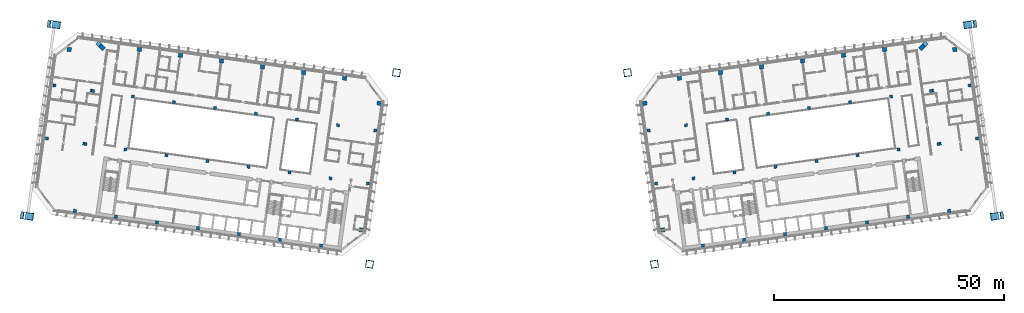
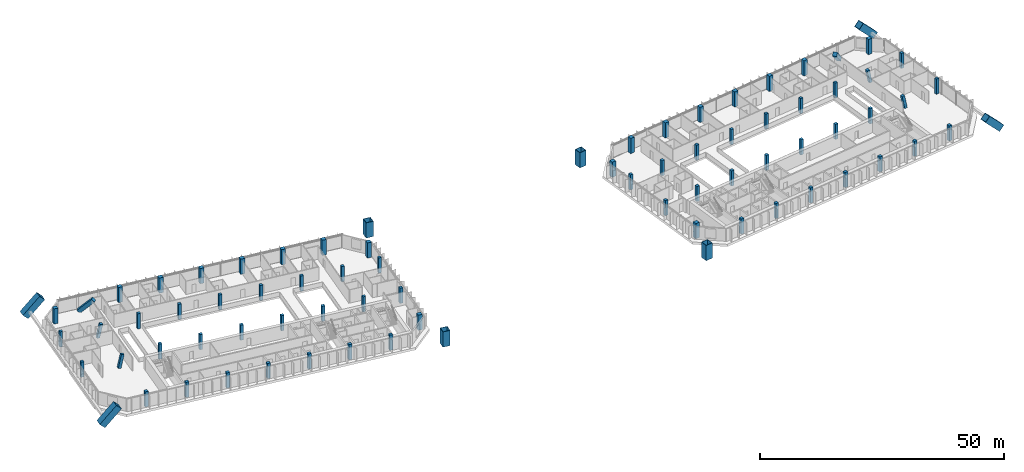
# One storey, part 1 of 34: 78 columns.
"""IFC4 building model written with IfcOpenShell, lengths in metres."""

from ifc_helpers import new_model, si_unit, direction, frame, origin, origin_2d, place, context, subcontext, project, spatial, rectangle, hollow_rectangle, extrude, material, material_profile, profile_set, type_object, element, save


model = new_model("IFC4")

# Units and contexts
model_context = context("Model", 3, precision=1e-05, world=origin(), true_north=direction((0.0, 1.0)))
body_context = subcontext(model_context, "Body", "Model", "MODEL_VIEW")
ifc_project = project(units=[si_unit("LENGTHUNIT", "METRE"), si_unit("AREAUNIT", "SQUARE_METRE"), si_unit("VOLUMEUNIT", "CUBIC_METRE"), si_unit("PLANEANGLEUNIT", "RADIAN"), si_unit("MASSUNIT", "GRAM", prefix="KILO")], contexts=[model_context])

# Site, building, storey
site_placement = place(None, origin())
site = spatial("IfcSite", under=ifc_project, at=site_placement, CompositionType="ELEMENT")
building_placement = place(site_placement, origin())
building = spatial("IfcBuilding", under=site, at=building_placement, Name="Mirante Cascada Hotel Towers", CompositionType="ELEMENT")
storey_placement = place(building_placement, frame((0.0, 0.0, 148.1)))
storey = spatial("IfcBuildingStorey", under=building, at=storey_placement, Name="L34", CompositionType="ELEMENT", Elevation=148.1)

# Columns
ifc_material_1 = material(Name="Steel ASTM A572 Gr 50", Category="steel")
ifc_material_profile_1 = material_profile(ifc_material_1, hollow_rectangle(XDim=1.6, YDim=1.6, WallThickness=0.07, at=origin_2d()), Name="Box column 1600x1600x70 ASTM A572 Gr 50")
ifc_profile_set_1 = profile_set([ifc_material_profile_1], Name="Steel ASTM A572 Gr 50")
column_type_1 = type_object("IfcColumnType", Name="Box column 1600x1600x70 ASTM A572 Gr 50", PredefinedType="COLUMN", material=ifc_profile_set_1)
for number, where, z_axis, x_axis, name in (
    (1, (-25.0968, 18.5173, 0.0), (0.0, 0.0, 1.0), (-0.9902681, 0.1391731, 0.0), "Mega column MC1 T1 L34"),
    (2, (-30.9421, -23.074, 0.0), (0.0, 0.0, 1.0), (-0.9902681, 0.1391731, 0.0), "Mega column MC2 T1 L34"),
):
    element("IfcColumn", number, at=place(storey_placement, frame(where, z_axis=z_axis, x_axis=x_axis)), inside=storey, type_object=column_type_1, Name=name, PredefinedType="COLUMN", context=body_context, shape_type="SweptSolid", body=[
        extrude(hollow_rectangle(XDim=1.6, YDim=1.6, WallThickness=0.07, at=origin_2d()), origin(), (0.0, 0.0, 1.0), 3.8),
    ])
column_1_placement = place(storey_placement, frame((-100.3572, 29.0944, 0.0), z_axis=(0.6886505, -0.0967847, 0.718605), x_axis=(0.1391748, 0.9902678, 0.0)))
element("IfcColumn", 3, at=column_1_placement, inside=storey, type_object=column_type_1, Name="Mega column MC3 T1 L34", PredefinedType="COLUMN", context=body_context, shape_type="SweptSolid", body=[
    extrude(hollow_rectangle(XDim=1.6, YDim=1.6, WallThickness=0.07, at=origin_2d()), origin(), (0.0, 0.0, 1.0), 5.288),
])
column_2_placement = place(storey_placement, frame((-106.2025, -12.4968, 0.0), z_axis=(0.6886605, -0.0967835, 0.7185957), x_axis=(0.1391711, 0.9902684, 0.0)))
element("IfcColumn", 4, at=column_2_placement, inside=storey, type_object=column_type_1, Name="Mega column MC4 T1 L34", PredefinedType="COLUMN", context=body_context, shape_type="SweptSolid", body=[
    extrude(hollow_rectangle(XDim=1.6, YDim=1.6, WallThickness=0.07, at=origin_2d()), origin(), (0.0, 0.0, 1.0), 5.2881),
])
for number, where, z_axis, x_axis, name in (
    (5, (25.0968, 18.5173, 0.0), (0.0, 0.0, 1.0), (0.9902681, 0.1391731, 0.0), "Mega column MC1 T2 L34"),
    (6, (30.9421, -23.074, 0.0), (0.0, 0.0, 1.0), (0.9902681, 0.1391731, 0.0), "Mega column MC2 T2 L34"),
):
    element("IfcColumn", number, at=place(storey_placement, frame(where, z_axis=z_axis, x_axis=x_axis)), inside=storey, type_object=column_type_1, Name=name, PredefinedType="COLUMN", context=body_context, shape_type="SweptSolid", body=[
        extrude(hollow_rectangle(XDim=1.6, YDim=1.6, WallThickness=0.07, at=origin_2d()), origin(), (0.0, 0.0, 1.0), 3.8),
    ])
column_3_placement = place(storey_placement, frame((100.3572, 29.0944, 0.0), z_axis=(-0.6886505, -0.0967847, 0.718605), x_axis=(0.1391748, -0.9902678, 0.0)))
element("IfcColumn", 7, at=column_3_placement, inside=storey, type_object=column_type_1, Name="Mega column MC3 T2 L34", PredefinedType="COLUMN", context=body_context, shape_type="SweptSolid", body=[
    extrude(hollow_rectangle(XDim=1.6, YDim=1.6, WallThickness=0.07, at=origin_2d()), origin(), (0.0, 0.0, 1.0), 5.288),
])
column_4_placement = place(storey_placement, frame((106.2025, -12.4968, 0.0), z_axis=(-0.6886605, -0.0967835, 0.7185957), x_axis=(0.1391711, -0.9902684, 0.0)))
element("IfcColumn", 8, at=column_4_placement, inside=storey, type_object=column_type_1, Name="Mega column MC4 T2 L34", PredefinedType="COLUMN", context=body_context, shape_type="SweptSolid", body=[
    extrude(hollow_rectangle(XDim=1.6, YDim=1.6, WallThickness=0.07, at=origin_2d()), origin(), (0.0, 0.0, 1.0), 5.2881),
])
ifc_material_2 = material(Name="Concrete C60/75", Category="concrete")
ifc_material_profile_2 = material_profile(ifc_material_2, rectangle(XDim=0.65, YDim=0.65, at=origin_2d()), Name="RC column 650x650 C60/75")
ifc_profile_set_2 = profile_set([ifc_material_profile_2], Name="Concrete C60/75")
column_type_2 = type_object("IfcColumnType", Name="RC column 650x650 C60/75", PredefinedType="COLUMN", material=ifc_profile_set_2)
for number, where, z_axis, x_axis, name in (
    (9, (-29.6893, 5.9592, 0.0), (0.0, 0.0, 1.0), (-0.9902681, 0.1391731, 0.0), "Column T1 L34 2"),
    (10, (-31.3106, -5.5774, 0.0), (0.0, 0.0, 1.0), (-0.9902681, 0.1391731, 0.0), "Column T1 L34 3"),
    (11, (-37.8095, 7.1004, 0.0), (0.0, 0.0, 1.0), (-0.9902681, 0.1391731, 0.0), "Column T1 L34 6"),
    (12, (-39.4308, -4.4362, 0.0), (0.0, 0.0, 1.0), (-0.9902681, 0.1391731, 0.0), "Column T1 L34 7"),
    (13, (-46.7219, 8.353, 0.0), (0.0, 0.0, 1.0), (-0.9902681, 0.1391731, 0.0), "Column T1 L34 10"),
    (14, (-48.3432, -3.1836, 0.0), (0.0, 0.0, 1.0), (-0.9902681, 0.1391731, 0.0), "Column T1 L34 11"),
    (15, (-55.6343, 9.6055, 0.0), (0.0, 0.0, 1.0), (-0.9902681, 0.1391731, 0.0), "Column T1 L34 14"),
    (16, (-57.2557, -1.9311, 0.0), (0.0, 0.0, 1.0), (-0.9902681, 0.1391731, 0.0), "Column T1 L34 15"),
    (17, (-64.5467, 10.8581, 0.0), (0.0, 0.0, 1.0), (-0.9902681, 0.1391731, 0.0), "Column T1 L34 18"),
    (18, (-66.1681, -0.6785, 0.0), (0.0, 0.0, 1.0), (-0.9902681, 0.1391731, 0.0), "Column T1 L34 19"),
    (19, (-73.4591, 12.1107, 0.0), (0.0, 0.0, 1.0), (-0.9902681, 0.1391731, 0.0), "Column T1 L34 22"),
    (20, (-75.0805, 0.574, 0.0), (0.0, 0.0, 1.0), (-0.9902681, 0.1391731, 0.0), "Column T1 L34 23"),
    (21, (-82.3715, 13.3632, 0.0), (0.0, 0.0, 1.0), (-0.9902681, 0.1391731, 0.0), "Column T1 L34 26"),
    (22, (-83.9929, 1.8266, 0.0), (0.0, 0.0, 1.0), (-0.9902681, 0.1391731, 0.0), "Column T1 L34 27"),
):
    element("IfcColumn", number, at=place(storey_placement, frame(where, z_axis=z_axis, x_axis=x_axis)), inside=storey, type_object=column_type_2, Name=name, PredefinedType="COLUMN", context=body_context, shape_type="SweptSolid", body=[
        extrude(rectangle(XDim=0.65, YDim=0.65, at=origin_2d()), origin(), (0.0, 0.0, 1.0), 3.8),
    ])
column_5_placement = place(storey_placement, frame((-91.298, 14.6178, 0.0039), z_axis=(0.207679, -0.0291896, 0.9777614), x_axis=(0.1391833, 0.9902666, 0.0)))
element("IfcColumn", 23, at=column_5_placement, inside=storey, type_object=column_type_2, Name="Column T1 L34 30", PredefinedType="COLUMN", context=body_context, shape_type="SweptSolid", body=[
    extrude(rectangle(XDim=0.65, YDim=0.65, at=origin_2d()), origin(), (0.0, 0.0, 1.0), 3.3711),
])
column_6_placement = place(storey_placement, frame((-92.9193, 3.0811, 0.0039), z_axis=(0.2076506, -0.0291897, 0.9777674), x_axis=(0.1392028, 0.9902639, 0.0)))
element("IfcColumn", 24, at=column_6_placement, inside=storey, type_object=column_type_2, Name="Column T1 L34 31", PredefinedType="COLUMN", context=body_context, shape_type="SweptSolid", body=[
    extrude(rectangle(XDim=0.65, YDim=0.65, at=origin_2d()), origin(), (0.0, 0.0, 1.0), 3.371),
])
for number, where, z_axis, x_axis, name in (
    (25, (-99.4041, 15.757, 0.0), (0.0, 0.0, 1.0), (-0.9902681, 0.1391731, 0.0), "Column T1 L34 34"),
    (26, (-101.0255, 4.2204, 0.0), (0.0, 0.0, 1.0), (-0.9902681, 0.1391731, 0.0), "Column T1 L34 35"),
    (27, (29.6893, 5.9592, 0.0), (0.0, 0.0, 1.0), (0.9902681, 0.1391731, 0.0), "Column T2 L34 2"),
    (28, (31.3106, -5.5774, 0.0), (0.0, 0.0, 1.0), (0.9902681, 0.1391731, 0.0), "Column T2 L34 3"),
    (29, (37.8095, 7.1004, 0.0), (0.0, 0.0, 1.0), (0.9902681, 0.1391731, 0.0), "Column T2 L34 6"),
    (30, (39.4308, -4.4362, 0.0), (0.0, 0.0, 1.0), (0.9902681, 0.1391731, 0.0), "Column T2 L34 7"),
    (31, (46.7219, 8.353, 0.0), (0.0, 0.0, 1.0), (0.9902681, 0.1391731, 0.0), "Column T2 L34 10"),
    (32, (48.3432, -3.1836, 0.0), (0.0, 0.0, 1.0), (0.9902681, 0.1391731, 0.0), "Column T2 L34 11"),
    (33, (55.6343, 9.6055, 0.0), (0.0, 0.0, 1.0), (0.9902681, 0.1391731, 0.0), "Column T2 L34 14"),
    (34, (57.2557, -1.9311, 0.0), (0.0, 0.0, 1.0), (0.9902681, 0.1391731, 0.0), "Column T2 L34 15"),
    (35, (64.5467, 10.8581, 0.0), (0.0, 0.0, 1.0), (0.9902681, 0.1391731, 0.0), "Column T2 L34 18"),
    (36, (66.1681, -0.6785, 0.0), (0.0, 0.0, 1.0), (0.9902681, 0.1391731, 0.0), "Column T2 L34 19"),
    (37, (73.4591, 12.1107, 0.0), (0.0, 0.0, 1.0), (0.9902681, 0.1391731, 0.0), "Column T2 L34 22"),
    (38, (75.0805, 0.574, 0.0), (0.0, 0.0, 1.0), (0.9902681, 0.1391731, 0.0), "Column T2 L34 23"),
    (39, (82.3715, 13.3632, 0.0), (0.0, 0.0, 1.0), (0.9902681, 0.1391731, 0.0), "Column T2 L34 26"),
    (40, (83.9929, 1.8266, 0.0), (0.0, 0.0, 1.0), (0.9902681, 0.1391731, 0.0), "Column T2 L34 27"),
):
    element("IfcColumn", number, at=place(storey_placement, frame(where, z_axis=z_axis, x_axis=x_axis)), inside=storey, type_object=column_type_2, Name=name, PredefinedType="COLUMN", context=body_context, shape_type="SweptSolid", body=[
        extrude(rectangle(XDim=0.65, YDim=0.65, at=origin_2d()), origin(), (0.0, 0.0, 1.0), 3.8),
    ])
column_7_placement = place(storey_placement, frame((91.298, 14.6178, 0.0039), z_axis=(-0.207679, -0.0291896, 0.9777614), x_axis=(0.1391833, -0.9902666, 0.0)))
element("IfcColumn", 41, at=column_7_placement, inside=storey, type_object=column_type_2, Name="Column T2 L34 30", PredefinedType="COLUMN", context=body_context, shape_type="SweptSolid", body=[
    extrude(rectangle(XDim=0.65, YDim=0.65, at=origin_2d()), origin(), (0.0, 0.0, 1.0), 3.3711),
])
column_8_placement = place(storey_placement, frame((92.9193, 3.0811, 0.0039), z_axis=(-0.2076506, -0.0291897, 0.9777674), x_axis=(0.1392028, -0.9902639, 0.0)))
element("IfcColumn", 42, at=column_8_placement, inside=storey, type_object=column_type_2, Name="Column T2 L34 31", PredefinedType="COLUMN", context=body_context, shape_type="SweptSolid", body=[
    extrude(rectangle(XDim=0.65, YDim=0.65, at=origin_2d()), origin(), (0.0, 0.0, 1.0), 3.371),
])
for number, where, z_axis, x_axis, name in (
    (43, (99.4041, 15.757, 0.0), (0.0, 0.0, 1.0), (0.9902681, 0.1391731, 0.0), "Column T2 L34 34"),
    (44, (101.0255, 4.2204, 0.0), (0.0, 0.0, 1.0), (0.9902681, 0.1391731, 0.0), "Column T2 L34 35"),
):
    element("IfcColumn", number, at=place(storey_placement, frame(where, z_axis=z_axis, x_axis=x_axis)), inside=storey, type_object=column_type_2, Name=name, PredefinedType="COLUMN", context=body_context, shape_type="SweptSolid", body=[
        extrude(rectangle(XDim=0.65, YDim=0.65, at=origin_2d()), origin(), (0.0, 0.0, 1.0), 3.8),
    ])
ifc_material_3 = material(Name="Concrete C60/75", Category="concrete")
ifc_material_profile_3 = material_profile(ifc_material_3, rectangle(XDim=0.7, YDim=0.7, at=origin_2d()), Name="RC column 700x700 C60/75")
ifc_profile_set_3 = profile_set([ifc_material_profile_3], Name="Concrete C60/75")
column_type_3 = type_object("IfcColumnType", Name="RC column 700x700 C60/75", PredefinedType="COLUMN", material=ifc_profile_set_3)
for number, where, z_axis, x_axis, name in (
    (45, (-41.4802, -19.0179, 0.0), (0.0, 0.0, 1.0), (-0.9902681, 0.1391731, 0.0), "Column T1 L34 8"),
    (46, (-50.3926, -17.7653, 0.0), (0.0, 0.0, 1.0), (-0.9902681, 0.1391731, 0.0), "Column T1 L34 12"),
    (47, (-59.305, -16.5128, 0.0), (0.0, 0.0, 1.0), (-0.9902681, 0.1391731, 0.0), "Column T1 L34 16"),
    (48, (-68.2174, -15.2602, 0.0), (0.0, 0.0, 1.0), (-0.9902681, 0.1391731, 0.0), "Column T1 L34 20"),
    (49, (-77.1298, -14.0077, 0.0), (0.0, 0.0, 1.0), (-0.9902681, 0.1391731, 0.0), "Column T1 L34 24"),
    (50, (-86.0422, -12.7551, 0.0), (0.0, 0.0, 1.0), (-0.9902681, 0.1391731, 0.0), "Column T1 L34 28"),
    (51, (-94.9546, -11.5025, 0.0), (0.0, 0.0, 1.0), (-0.9902681, 0.1391731, 0.0), "Column T1 L34 32"),
    (52, (41.4802, -19.0179, 0.0), (0.0, 0.0, 1.0), (0.9902681, 0.1391731, 0.0), "Column T2 L34 8"),
    (53, (50.3926, -17.7653, 0.0), (0.0, 0.0, 1.0), (0.9902681, 0.1391731, 0.0), "Column T2 L34 12"),
    (54, (59.305, -16.5128, 0.0), (0.0, 0.0, 1.0), (0.9902681, 0.1391731, 0.0), "Column T2 L34 16"),
    (55, (68.2174, -15.2602, 0.0), (0.0, 0.0, 1.0), (0.9902681, 0.1391731, 0.0), "Column T2 L34 20"),
    (56, (77.1298, -14.0077, 0.0), (0.0, 0.0, 1.0), (0.9902681, 0.1391731, 0.0), "Column T2 L34 24"),
    (57, (86.0422, -12.7551, 0.0), (0.0, 0.0, 1.0), (0.9902681, 0.1391731, 0.0), "Column T2 L34 28"),
    (58, (94.9546, -11.5025, 0.0), (0.0, 0.0, 1.0), (0.9902681, 0.1391731, 0.0), "Column T2 L34 32"),
):
    element("IfcColumn", number, at=place(storey_placement, frame(where, z_axis=z_axis, x_axis=x_axis)), inside=storey, type_object=column_type_3, Name=name, PredefinedType="COLUMN", context=body_context, shape_type="SweptSolid", body=[
        extrude(rectangle(XDim=0.7, YDim=0.7, at=origin_2d()), origin(), (0.0, 0.0, 1.0), 3.8),
    ])
ifc_material_4 = material(Name="Concrete C60/75", Category="concrete")
ifc_material_profile_4 = material_profile(ifc_material_4, rectangle(XDim=0.9, YDim=0.9, at=origin_2d()), Name="RC column 900x900 C60/75")
ifc_profile_set_4 = profile_set([ifc_material_profile_4], Name="Concrete C60/75")
column_type_4 = type_object("IfcColumnType", Name="RC column 900x900 C60/75", PredefinedType="COLUMN", material=ifc_profile_set_4)
for number, where, z_axis, x_axis, name in (
    (59, (-28.8577, 11.8761, 0.0), (0.0, 0.0, 1.0), (-0.9902681, 0.1391731, 0.0), "Column T1 L34 1"),
    (60, (-32.7267, -15.6534, 0.0), (0.0, 0.0, 1.0), (-0.9902681, 0.1391731, 0.0), "Column T1 L34 4"),
    (61, (-36.3725, 17.325, 0.0), (0.0, 0.0, 1.0), (-0.9902681, 0.1391731, 0.0), "Column T1 L34 5"),
    (62, (-45.2849, 18.5775, 0.0), (0.0, 0.0, 1.0), (-0.9902681, 0.1391731, 0.0), "Column T1 L34 9"),
    (63, (-54.1973, 19.8301, 0.0), (0.0, 0.0, 1.0), (-0.9902681, 0.1391731, 0.0), "Column T1 L34 13"),
    (64, (-63.1097, 21.0826, 0.0), (0.0, 0.0, 1.0), (-0.9902681, 0.1391731, 0.0), "Column T1 L34 17"),
    (65, (-72.0222, 22.3352, 0.0), (0.0, 0.0, 1.0), (-0.9902681, 0.1391731, 0.0), "Column T1 L34 21"),
    (66, (-80.9346, 23.5877, 0.0), (0.0, 0.0, 1.0), (-0.9902681, 0.1391731, 0.0), "Column T1 L34 25"),
):
    element("IfcColumn", number, at=place(storey_placement, frame(where, z_axis=z_axis, x_axis=x_axis)), inside=storey, type_object=column_type_4, Name=name, PredefinedType="COLUMN", context=body_context, shape_type="SweptSolid", body=[
        extrude(rectangle(XDim=0.9, YDim=0.9, at=origin_2d()), origin(), (0.0, 0.0, 1.0), 3.8),
    ])
column_9_placement = place(storey_placement, frame((-89.8599, 24.8405, 0.0029), z_axis=(0.4928623, -0.4828513, 0.7238379), x_axis=(0.699815, 0.7143242, 0.0)))
element("IfcColumn", 67, at=column_9_placement, inside=storey, type_object=column_type_4, Name="Column T1 L34 29", PredefinedType="COLUMN", context=body_context, shape_type="SweptSolid", body=[
    extrude(rectangle(XDim=0.9, YDim=0.9, at=origin_2d()), origin(), (0.0, 0.0, 1.0), 4.555),
])
for number, where, z_axis, x_axis, name in (
    (68, (-96.1868, 23.5602, 0.0), (0.0, 0.0, 1.0), (-0.9902681, 0.1391731, 0.0), "Column T1 L34 33"),
    (69, (28.8577, 11.8761, 0.0), (0.0, 0.0, 1.0), (0.9902681, 0.1391731, 0.0), "Column T2 L34 1"),
    (70, (32.7267, -15.6534, 0.0), (0.0, 0.0, 1.0), (0.9902681, 0.1391731, 0.0), "Column T2 L34 4"),
    (71, (36.3725, 17.325, 0.0), (0.0, 0.0, 1.0), (0.9902681, 0.1391731, 0.0), "Column T2 L34 5"),
    (72, (45.2849, 18.5775, 0.0), (0.0, 0.0, 1.0), (0.9902681, 0.1391731, 0.0), "Column T2 L34 9"),
    (73, (54.1973, 19.8301, 0.0), (0.0, 0.0, 1.0), (0.9902681, 0.1391731, 0.0), "Column T2 L34 13"),
    (74, (63.1097, 21.0826, 0.0), (0.0, 0.0, 1.0), (0.9902681, 0.1391731, 0.0), "Column T2 L34 17"),
    (75, (72.0222, 22.3352, 0.0), (0.0, 0.0, 1.0), (0.9902681, 0.1391731, 0.0), "Column T2 L34 21"),
    (76, (80.9346, 23.5877, 0.0), (0.0, 0.0, 1.0), (0.9902681, 0.1391731, 0.0), "Column T2 L34 25"),
):
    element("IfcColumn", number, at=place(storey_placement, frame(where, z_axis=z_axis, x_axis=x_axis)), inside=storey, type_object=column_type_4, Name=name, PredefinedType="COLUMN", context=body_context, shape_type="SweptSolid", body=[
        extrude(rectangle(XDim=0.9, YDim=0.9, at=origin_2d()), origin(), (0.0, 0.0, 1.0), 3.8),
    ])
column_10_placement = place(storey_placement, frame((89.8599, 24.8405, 0.0029), z_axis=(-0.4928623, -0.4828513, 0.7238379), x_axis=(0.699815, -0.7143242, 0.0)))
element("IfcColumn", 77, at=column_10_placement, inside=storey, type_object=column_type_4, Name="Column T2 L34 29", PredefinedType="COLUMN", context=body_context, shape_type="SweptSolid", body=[
    extrude(rectangle(XDim=0.9, YDim=0.9, at=origin_2d()), origin(), (0.0, 0.0, 1.0), 4.555),
])
column_11_placement = place(storey_placement, frame((96.1868, 23.5602, 0.0), z_axis=(0.0, 0.0, 1.0), x_axis=(0.9902681, 0.1391731, 0.0)))
element("IfcColumn", 78, at=column_11_placement, inside=storey, type_object=column_type_4, Name="Column T2 L34 33", PredefinedType="COLUMN", context=body_context, shape_type="SweptSolid", body=[
    extrude(rectangle(XDim=0.9, YDim=0.9, at=origin_2d()), origin(), (0.0, 0.0, 1.0), 3.8),
])

save(model, "model.ifc")
